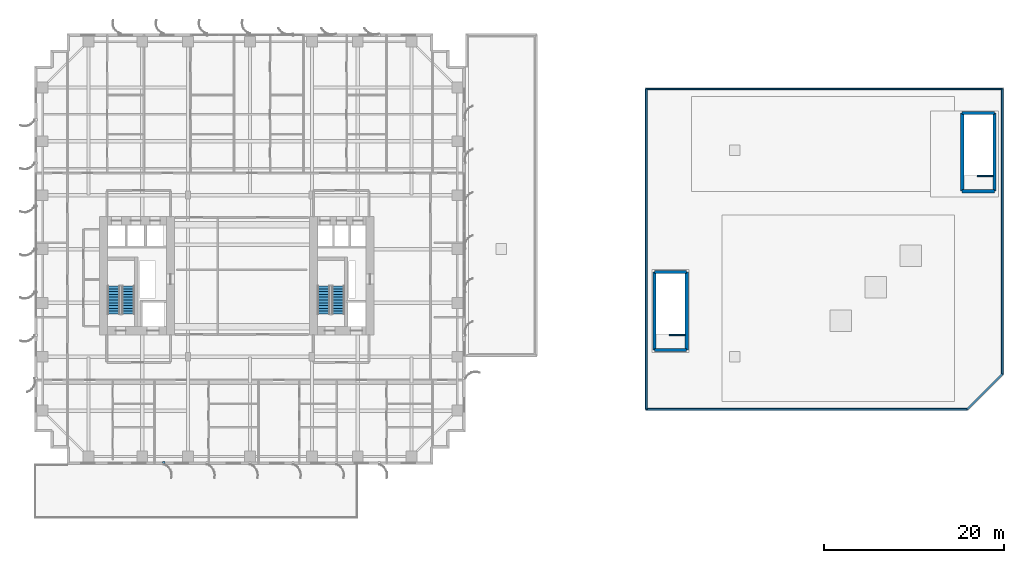
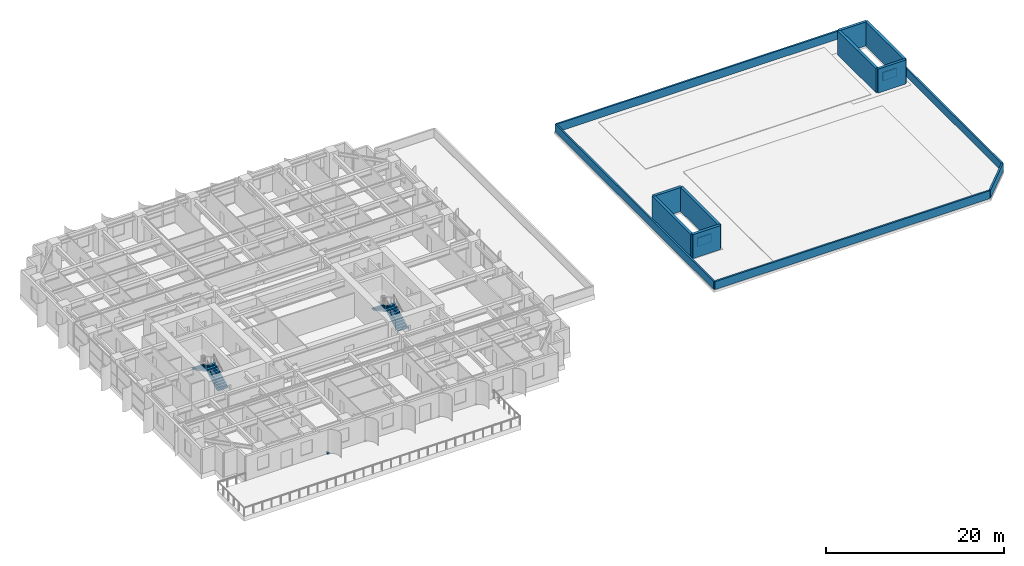
# One storey, part 16 of 21: 15 walls, 4 stair flights, 1 discrete accessory, 2 elements without a shape of their own.
"""IFC4 building model written with IfcOpenShell, lengths in metres."""

from ifc_helpers import new_model, si_unit, direction, frame, frame_2d, origin, origin_2d, place, context, subcontext, project, spatial, polyline, rectangle, outline, extrude, source, transform, mapped, material, layer, layer_set, type_object, element, aggregate, save


model = new_model("IFC4")

# Units and contexts
model_context = context("Model", 3, precision=1e-05, world=origin(), true_north=direction((0.0, 1.0)))
body_context = subcontext(model_context, "Body", "Model", "MODEL_VIEW")
ifc_project = project(units=[si_unit("LENGTHUNIT", "METRE"), si_unit("AREAUNIT", "SQUARE_METRE"), si_unit("VOLUMEUNIT", "CUBIC_METRE"), si_unit("PLANEANGLEUNIT", "RADIAN"), si_unit("MASSUNIT", "GRAM", prefix="KILO")], contexts=[model_context])

# Site, building, storey
site_placement = place(None, origin())
site = spatial("IfcSite", under=ifc_project, at=site_placement, CompositionType="ELEMENT")
building_placement = place(site_placement, origin())
building = spatial("IfcBuilding", under=site, at=building_placement, Name="Khoralis Quay Care Tower", CompositionType="ELEMENT")
storey_placement = place(building_placement, frame((0.0, 0.0, 22.5)))
storey = spatial("IfcBuildingStorey", under=building, at=storey_placement, Name="L05", CompositionType="ELEMENT", Elevation=22.5)

# Walls
ifc_material_1 = material(Name="Precast concrete C40/50", Category="concrete")
ifc_layer_1 = layer(ifc_material_1, 0.219970703125)
ifc_layer_set_1 = layer_set([ifc_layer_1], Name="Precast concrete C40/50")
wall_type_1 = type_object("IfcWallType", Name="WL-PARAPET-220", PredefinedType="PARAPET", material=ifc_layer_set_1)
wall_1_placement = place(storey_placement, frame((68.169921875, 6.169921875, 0.0), z_axis=(0.0, 0.0, 1.0), x_axis=(1.0, 0.0, 0.0)))
element("IfcWall", 1, at=wall_1_placement, inside=storey, type_object=wall_type_1, Name="School Roof Parapet 1", PredefinedType="PARAPET", context=body_context, shape_type="SweptSolid", body=[
    extrude(rectangle(XDim=35.759765625, YDim=0.219970703125, at=frame_2d((17.8798828125, 0.0))), origin(), (0.0, 0.0, 1.0), 1.10009765625),
])
wall_2_placement = place(storey_placement, frame((103.9296875, 6.169921875, 0.0), z_axis=(0.0, 0.0, 1.0), x_axis=(0.707106781187, 0.707106781187, 0.0)))
element("IfcWall", 2, at=wall_2_placement, inside=storey, type_object=wall_type_1, Name="School Roof Parapet 2", PredefinedType="PARAPET", context=body_context, shape_type="SweptSolid", body=[
    extrude(rectangle(XDim=5.515869140625, YDim=0.219970703125, at=frame_2d((2.7578125, 0.0))), origin(), (0.0, 0.0, 1.0), 1.10009765625),
])
wall_3_placement = place(storey_placement, frame((107.830078125, 10.0703125, 0.0), z_axis=(0.0, 0.0, 1.0), x_axis=(0.0, 1.0, 0.0)))
element("IfcWall", 3, at=wall_3_placement, inside=storey, type_object=wall_type_1, Name="School Roof Parapet 3", PredefinedType="PARAPET", context=body_context, shape_type="SweptSolid", body=[
    extrude(rectangle(XDim=31.759765625, YDim=0.219970703125, at=frame_2d((15.8798828125, 0.0))), origin(), (0.0, 0.0, 1.0), 1.10009765625),
])
wall_4_placement = place(storey_placement, frame((107.830078125, 41.830078125, 0.0), z_axis=(0.0, 0.0, 1.0), x_axis=(-1.0, 0.0, 0.0)))
element("IfcWall", 4, at=wall_4_placement, inside=storey, type_object=wall_type_1, Name="School Roof Parapet 4", PredefinedType="PARAPET", context=body_context, shape_type="SweptSolid", body=[
    extrude(rectangle(XDim=39.66015625, YDim=0.219970703125, at=frame_2d((19.830078125, 0.0))), origin(), (0.0, 0.0, 1.0), 1.10009765625),
])
wall_5_placement = place(storey_placement, frame((68.169921875, 41.830078125, 0.0), z_axis=(0.0, 0.0, 1.0), x_axis=(0.0, -1.0, 0.0)))
element("IfcWall", 5, at=wall_5_placement, inside=storey, type_object=wall_type_1, Name="School Roof Parapet 5", PredefinedType="PARAPET", context=body_context, shape_type="SweptSolid", body=[
    extrude(rectangle(XDim=35.66015625, YDim=0.219970703125, at=frame_2d((17.830078125, 0.0))), origin(), (0.0, 0.0, 1.0), 1.10009765625),
])
for number, where, z_axis, x_axis, name in (
    (6, (72.5, 14.429931640625, 0.0), (0.0, 0.0, 1.0), (-1.0, 0.0, 0.0), "L05 ST-S1 Top Well Guard Wall 1"),
    (7, (106.800048828125, 32.1298828125, 0.0), (0.0, 0.0, 1.0), (-1.0, 0.0, 0.0), "L05 ST-S2 Top Well Guard Wall 1"),
):
    element("IfcWall", number, at=place(storey_placement, frame(where, z_axis=z_axis, x_axis=x_axis)), inside=storey, type_object=wall_type_1, Name=name, PredefinedType="PARAPET", context=body_context, shape_type="SweptSolid", body=[
        extrude(rectangle(XDim=1.800048828125, YDim=0.159912109375, at=frame_2d((0.89990234375, 0.0))), origin(), (0.0, 0.0, 1.0), 1.14990234375),
    ])
ifc_material_2 = material(Name="Concrete C40/50", Category="concrete")
ifc_layer_2 = layer(ifc_material_2, 0.35009765625)
ifc_layer_set_2 = layer_set([ifc_layer_2], Name="Concrete C40/50")
wall_type_2 = type_object("IfcWallType", Name="WL-SC-CORE-350", PredefinedType="SHEAR", material=ifc_layer_set_2)
wall_6_placement = place(storey_placement, frame((69.044921875, 12.7451171875, 0.0), z_axis=(0.0, 0.0, 1.0), x_axis=(1.0, 0.0, 0.0)))
element("IfcWall", 8, at=wall_6_placement, inside=storey, type_object=wall_type_2, Name="School Stair Head-House 1 Bearing Wall 1", PredefinedType="SHEAR", context=body_context, shape_type="SweptSolid", body=[
    extrude(rectangle(XDim=3.610107421875, YDim=0.35009765625, at=frame_2d((1.80517578125, 0.0))), origin(), (0.0, 0.0, 1.0), 3.300048828125),
])
wall_7_placement = place(storey_placement, frame((72.655029296875, 12.7451171875, 0.0), z_axis=(0.0, 0.0, 1.0), x_axis=(0.0, 1.0, 0.0)))
element("IfcWall", 9, at=wall_7_placement, inside=storey, type_object=wall_type_2, Name="School Stair Head-House 1 Bearing Wall 2", PredefinedType="SHEAR", context=body_context, shape_type="SweptSolid", body=[
    extrude(rectangle(XDim=8.7099609375, YDim=0.35009765625, at=frame_2d((4.35498046875, 0.0))), origin(), (0.0, 0.0, 1.0), 3.300048828125),
])
wall_8_placement = place(storey_placement, frame((72.655029296875, 21.455078125, 0.0), z_axis=(0.0, 0.0, 1.0), x_axis=(-1.0, 0.0, 0.0)))
element("IfcWall", 10, at=wall_8_placement, inside=storey, type_object=wall_type_2, Name="School Stair Head-House 1 Bearing Wall 3", PredefinedType="SHEAR", context=body_context, shape_type="SweptSolid", body=[
    extrude(rectangle(XDim=3.610107421875, YDim=0.35009765625, at=frame_2d((1.80517578125, 0.0))), origin(), (0.0, 0.0, 1.0), 3.300048828125),
])
wall_9_placement = place(storey_placement, frame((69.044921875, 21.455078125, 0.0), z_axis=(0.0, 0.0, 1.0), x_axis=(0.0, -1.0, 0.0)))
element("IfcWall", 11, at=wall_9_placement, inside=storey, type_object=wall_type_2, Name="School Stair Head-House 1 Bearing Wall 4", PredefinedType="SHEAR", context=body_context, shape_type="SweptSolid", body=[
    extrude(rectangle(XDim=8.7099609375, YDim=0.35009765625, at=frame_2d((4.35498046875, 0.0))), origin(), (0.0, 0.0, 1.0), 3.300048828125),
])
wall_10_placement = place(storey_placement, frame((103.344970703125, 30.445068359375, 0.0), z_axis=(0.0, 0.0, 1.0), x_axis=(1.0, 0.0, 0.0)))
element("IfcWall", 12, at=wall_10_placement, inside=storey, type_object=wall_type_2, Name="School Stair Head-House 2 Bearing Wall 1", PredefinedType="SHEAR", context=body_context, shape_type="SweptSolid", body=[
    extrude(rectangle(XDim=3.610107421875, YDim=0.35009765625, at=frame_2d((1.80517578125, 0.0))), origin(), (0.0, 0.0, 1.0), 3.300048828125),
])
wall_11_placement = place(storey_placement, frame((106.955078125, 30.445068359375, 0.0), z_axis=(0.0, 0.0, 1.0), x_axis=(0.0, 1.0, 0.0)))
element("IfcWall", 13, at=wall_11_placement, inside=storey, type_object=wall_type_2, Name="School Stair Head-House 2 Bearing Wall 2", PredefinedType="SHEAR", context=body_context, shape_type="SweptSolid", body=[
    extrude(rectangle(XDim=8.7099609375, YDim=0.35009765625, at=frame_2d((4.35498046875, 0.0))), origin(), (0.0, 0.0, 1.0), 3.300048828125),
])
wall_12_placement = place(storey_placement, frame((106.955078125, 39.155029296875, 0.0), z_axis=(0.0, 0.0, 1.0), x_axis=(-1.0, 0.0, 0.0)))
element("IfcWall", 14, at=wall_12_placement, inside=storey, type_object=wall_type_2, Name="School Stair Head-House 2 Bearing Wall 3", PredefinedType="SHEAR", context=body_context, shape_type="SweptSolid", body=[
    extrude(rectangle(XDim=3.610107421875, YDim=0.35009765625, at=frame_2d((1.80517578125, 0.0))), origin(), (0.0, 0.0, 1.0), 3.300048828125),
])
wall_13_placement = place(storey_placement, frame((103.344970703125, 39.155029296875, 0.0), z_axis=(0.0, 0.0, 1.0), x_axis=(0.0, -1.0, 0.0)))
element("IfcWall", 15, at=wall_13_placement, inside=storey, type_object=wall_type_2, Name="School Stair Head-House 2 Bearing Wall 4", PredefinedType="SHEAR", context=body_context, shape_type="SweptSolid", body=[
    extrude(rectangle(XDim=8.7099609375, YDim=0.35009765625, at=frame_2d((4.35498046875, 0.0))), origin(), (0.0, 0.0, 1.0), 3.300048828125),
])

# Stair, stair flights
ifc_material_3 = material(Name="Precast concrete C45/55", Category="concrete")
stair_type = type_object("IfcStairType", Name="ST-TWR-DOGLEG-1400", PredefinedType="HALF_TURN_STAIR", material=ifc_material_3)
stair_1_placement = place(storey_placement, origin())
stair_1 = element("IfcStair", 16, at=stair_1_placement, inside=storey, type_object=stair_type, Name="L05 West Core Exit Stair ST-T1", PredefinedType="HALF_TURN_STAIR")
stair_flight_type = type_object("IfcStairFlightType", Name="SF-TWR-1400", PredefinedType="STRAIGHT", material=ifc_material_3)
shared_shape_1 = source(origin(), body_context, "Body", "SweptSolid", [
    extrude(outline(polyline([(0.0, 0.0), (0.0, 0.16357421875), (0.31005859375, 0.16357421875), (0.31005859375, 0.327392578125), (0.6201171875, 0.327392578125), (0.6201171875, 0.490966796875), (0.929931640625, 0.490966796875), (0.929931640625, 0.654541015625), (1.239990234375, 0.654541015625), (1.239990234375, 0.818115234375), (1.550048828125, 0.818115234375), (1.550048828125, 0.98193359375), (1.860107421875, 0.98193359375), (1.860107421875, 1.1455078125), (2.169921875, 1.1455078125), (2.169921875, 1.30908203125), (2.47998046875, 1.30908203125), (2.47998046875, 1.47265625), (2.7900390625, 1.47265625), (2.7900390625, 1.636474609375), (3.10009765625, 1.636474609375), (3.10009765625, 1.800048828125), (3.10009765625, 1.466796875), (0.321044921875, 0.0), (0.0, 0.0)])), frame((0.0, 0.68994140625, 0.0), z_axis=(0.0, -1.0, 0.0), x_axis=(1.0, 0.0, 0.0)), (0.0, 0.0, 1.0), 1.3798828125),
])
stair_flight_1_placement = place(storey_placement, frame((10.4599609375, 16.77001953125, 0.0), z_axis=(0.0, 0.0, 1.0), x_axis=(0.0, 1.0, 0.0)))
stair_flight_1 = element("IfcStairFlight", 17, at=stair_flight_1_placement, type_object=stair_flight_type, Name="ST-T1 flight 1", NumberOfRisers=11, NumberOfTreads=10, PredefinedType="STRAIGHT", RiserHeight=0.163636364, TreadLength=0.31, context=body_context, shape_type="MappedRepresentation", body=[
    mapped(shared_shape_1, transform((0.0, 0.0, 0.0), scale=1.0)),
])
stair_flight_2_placement = place(storey_placement, frame((8.840087890625, 19.8701171875, 1.800048828125), z_axis=(0.0, 0.0, 1.0), x_axis=(0.0, -1.0, 0.0)))
stair_flight_2 = element("IfcStairFlight", 18, at=stair_flight_2_placement, type_object=stair_flight_type, Name="ST-T1 flight 2", NumberOfRisers=11, NumberOfTreads=10, PredefinedType="STRAIGHT", RiserHeight=0.163636364, TreadLength=0.31, context=body_context, shape_type="MappedRepresentation", body=[
    mapped(shared_shape_1, transform((0.0, 0.0, 0.0), scale=1.0)),
])
aggregate(stair_1, [stair_flight_1, stair_flight_2])

stair_2_placement = place(storey_placement, origin())
stair_2 = element("IfcStair", 19, at=stair_2_placement, inside=storey, type_object=stair_type, Name="L05 East Core Exit Stair ST-T2", PredefinedType="HALF_TURN_STAIR")
stair_flight_3_placement = place(storey_placement, frame((33.830078125, 16.77001953125, 0.0), z_axis=(0.0, 0.0, 1.0), x_axis=(0.0, 1.0, 0.0)))
stair_flight_3 = element("IfcStairFlight", 20, at=stair_flight_3_placement, type_object=stair_flight_type, Name="ST-T2 flight 1", NumberOfRisers=11, NumberOfTreads=10, PredefinedType="STRAIGHT", RiserHeight=0.163636364, TreadLength=0.31, context=body_context, shape_type="MappedRepresentation", body=[
    mapped(shared_shape_1, transform((0.0, 0.0, 0.0), scale=1.0)),
])
stair_flight_4_placement = place(storey_placement, frame((32.2099609375, 19.8701171875, 1.800048828125), z_axis=(0.0, 0.0, 1.0), x_axis=(0.0, -1.0, 0.0)))
stair_flight_4 = element("IfcStairFlight", 21, at=stair_flight_4_placement, type_object=stair_flight_type, Name="ST-T2 flight 2", NumberOfRisers=11, NumberOfTreads=10, PredefinedType="STRAIGHT", RiserHeight=0.163636364, TreadLength=0.31, context=body_context, shape_type="MappedRepresentation", body=[
    mapped(shared_shape_1, transform((0.0, 0.0, 0.0), scale=1.0)),
])
aggregate(stair_2, [stair_flight_3, stair_flight_4])

# Discrete accessory
ifc_material_4 = material(Name="Brushed stainless steel", Category="steel")
discrete_accessory_type = type_object("IfcDiscreteAccessoryType", Name="ACC-FIN-BRACKET", PredefinedType="BRACKET", material=ifc_material_4)
shared_shape_2 = source(origin(), body_context, "Body", "SweptSolid", [
    extrude(rectangle(XDim=0.39990234375, YDim=0.239990234375, at=origin_2d()), origin(), (0.0, 0.0, 1.0), 0.280029296875),
])
discrete_accessory_placement = place(storey_placement, frame((14.39990234375, 0.110107421875, -0.1201171875), z_axis=(0.0, 0.0, 1.0), x_axis=(0.0, -1.0, 0.0)))
element("IfcDiscreteAccessory", 22, at=discrete_accessory_placement, inside=storey, type_object=discrete_accessory_type, Name="L05 Solar Fin Bracket P1E0-02", PredefinedType="BRACKET", context=body_context, shape_type="MappedRepresentation", body=[
    mapped(shared_shape_2, transform((0.0, 0.0, 0.0), scale=1.0)),
])

save(model, "model.ifc")
